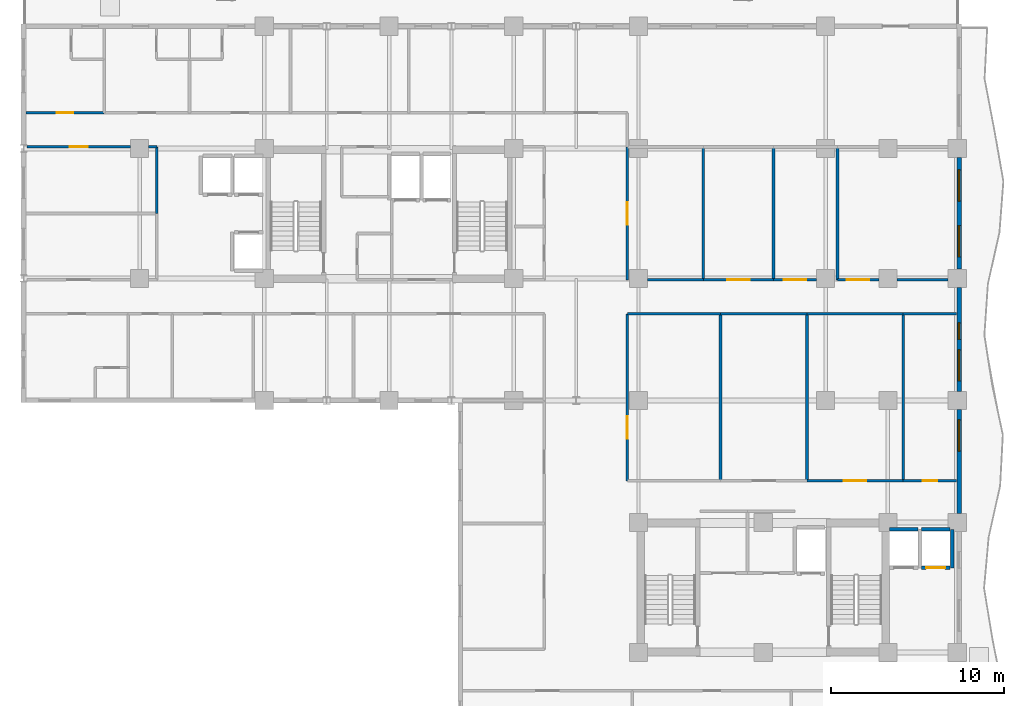
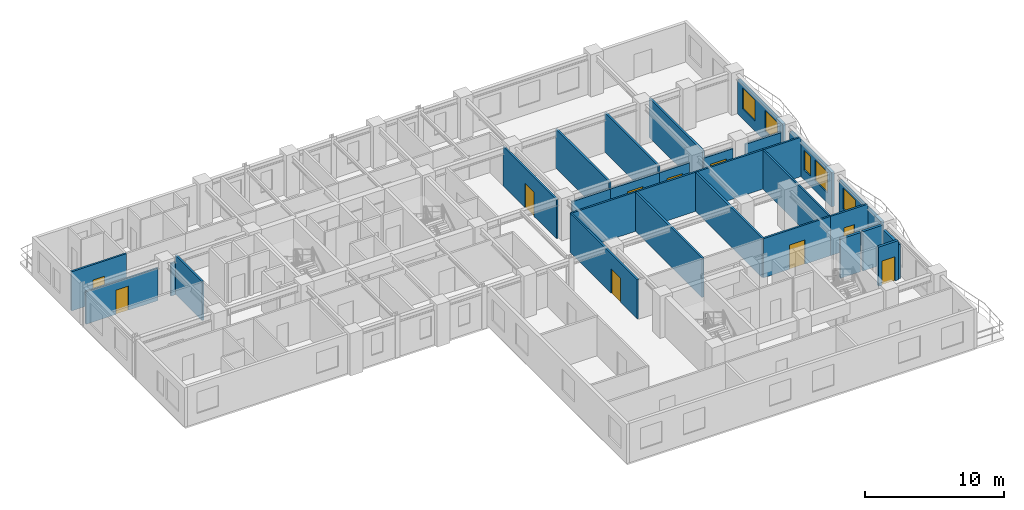
# One storey, part 7 of 13: 30 walls, 10 doors, 5 windows, 15 openings.
"""IFC4 building model written with IfcOpenShell, lengths in metres."""

from ifc_helpers import new_model, si_unit, direction, frame, frame_2d, origin, place, context, subcontext, project, spatial, rectangle, extrude, material, layer, layer_set, type_object, element, fill, save


model = new_model("IFC4")

# Units and contexts
model_context = context("Model", 3, precision=1e-05, world=origin(), true_north=direction((0.0, 1.0)))
body_context = subcontext(model_context, "Body", "Model", "MODEL_VIEW")
ifc_project = project(units=[si_unit("LENGTHUNIT", "METRE"), si_unit("AREAUNIT", "SQUARE_METRE"), si_unit("VOLUMEUNIT", "CUBIC_METRE"), si_unit("PLANEANGLEUNIT", "RADIAN"), si_unit("MASSUNIT", "GRAM", prefix="KILO")], contexts=[model_context])

# Site, building, storey
site_placement = place(None, origin())
site = spatial("IfcSite", under=ifc_project, at=site_placement, CompositionType="ELEMENT")
building_placement = place(site_placement, origin())
building = spatial("IfcBuilding", under=site, at=building_placement, Name="Kaliganga Portal Commons", CompositionType="ELEMENT")
storey_placement = place(building_placement, frame((0.0, 0.0, 162.39990234375)))
storey = spatial("IfcBuildingStorey", under=building, at=storey_placement, Name="L41", CompositionType="ELEMENT", Elevation=162.39990234375)

# Wall, opening, window
ifc_material_1 = material(Name="Insulated Aluminium-Clad Spandrel Assembly", Category="aluminium")
ifc_layer_1 = layer(ifc_material_1, 0.260009765625)
ifc_layer_set_1 = layer_set([ifc_layer_1], Name="Insulated Aluminium-Clad Spandrel Assembly")
wall_type_1 = type_object("IfcWallType", Name="WL-EXT-SPAND-260", PredefinedType="STANDARD", material=ifc_layer_set_1)
wall_1_placement = place(storey_placement, frame((54.5, 21.073974609375, 0.0), z_axis=(0.0, 0.0, 1.0), x_axis=(0.0, -1.0, 0.0)))
wall_1 = element("IfcWall", 1, at=wall_1_placement, inside=storey, type_object=wall_type_1, Name="Exterior Envelope Wall L41 P1-E01-S3", PredefinedType="STANDARD", context=body_context, shape_type="SweptSolid", body=[
    extrude(rectangle(XDim=5.998046875, YDim=0.260009765625, at=frame_2d((2.9990234375, 0.0))), origin(), (0.0, 0.0, 1.0), 2.989990234375),
])
opening_1_placement = place(wall_1_placement, frame((0.599609375, 0.0, 0.85009765625)))
opening_1 = element("IfcOpeningElement", 2, at=opening_1_placement, cuts=wall_1, Name="Opening W-01", PredefinedType="OPENING", context=body_context, shape_type="SweptSolid", body=[
    extrude(rectangle(XDim=1.800048828125, YDim=1.85009765625, at=frame_2d((0.89990234375, 0.925048828125))), frame((0.0, 0.14013671875, 0.0), z_axis=(0.0, -1.0, 0.0), x_axis=(1.0, 0.0, 0.0)), (0.0, 0.0, 1.0), 0.280029296875),
])
ifc_material_2 = material(Name="Thermally Broken Aluminium and Low-E Double Glazing", Category="aluminium")
window_type_1 = type_object("IfcWindowType", Name="WIN-STD-1800", PartitioningType="DOUBLE_PANEL_VERTICAL", PredefinedType="WINDOW", material=ifc_material_2)
window_1_placement = place(opening_1_placement, origin())
window_1 = element("IfcWindow", 3, at=window_1_placement, inside=storey, type_object=window_type_1, Name="Facade Window L41-P1E01S3-00", OverallHeight=1.85009765625, OverallWidth=1.800048828125, PartitioningType="SINGLE_PANEL", PredefinedType="WINDOW", context=body_context, shape_type="SweptSolid", body=[
    extrude(rectangle(XDim=1.800048828125, YDim=1.85009765625, at=frame_2d((0.89990234375, 0.925048828125))), frame((0.0, 0.030029296875, 0.0), z_axis=(0.0, -1.0, 0.0), x_axis=(1.0, 0.0, 0.0)), (0.0, 0.0, 1.0), 0.06005859375),
])
fill(opening_1, window_1)

# Wall, openings, windows
wall_2_placement = place(storey_placement, frame((54.5, 28.1240234375, 0.0), z_axis=(0.0, 0.0, 1.0), x_axis=(0.0, -1.0, 0.0)))
wall_2 = element("IfcWall", 4, at=wall_2_placement, inside=storey, type_object=wall_type_1, Name="Exterior Envelope Wall L41 P1-E01-S4", PredefinedType="STANDARD", context=body_context, shape_type="SweptSolid", body=[
    extrude(rectangle(XDim=5.998046875, YDim=0.260009765625, at=frame_2d((2.9990234375, 0.0))), origin(), (0.0, 0.0, 1.0), 2.989990234375),
])
opening_2_placement = place(wall_2_placement, frame((3.598388671875, 0.0, 0.85009765625)))
opening_2 = element("IfcOpeningElement", 5, at=opening_2_placement, cuts=wall_2, Name="Opening W-01", PredefinedType="OPENING", context=body_context, shape_type="SweptSolid", body=[
    extrude(rectangle(XDim=1.800048828125, YDim=1.85009765625, at=frame_2d((0.89990234375, 0.925048828125))), frame((0.0, 0.14013671875, 0.0), z_axis=(0.0, -1.0, 0.0), x_axis=(1.0, 0.0, 0.0)), (0.0, 0.0, 1.0), 0.280029296875),
])
opening_3_placement = place(wall_2_placement, frame((2.044189453125, 0.0, 0.85009765625)))
opening_3 = element("IfcOpeningElement", 6, at=opening_3_placement, cuts=wall_2, Name="Opening W-04", PredefinedType="OPENING", context=body_context, shape_type="SweptSolid", body=[
    extrude(rectangle(XDim=0.949951171875, YDim=1.75, at=frame_2d((0.47509765625, 0.875))), frame((0.0, 0.14013671875, 0.0), z_axis=(0.0, -1.0, 0.0), x_axis=(1.0, 0.0, 0.0)), (0.0, 0.0, 1.0), 0.280029296875),
])
window_type_2 = type_object("IfcWindowType", Name="WIN-NARROW-950", PartitioningType="SINGLE_PANEL", PredefinedType="WINDOW", material=ifc_material_2)
window_2_placement = place(opening_3_placement, origin())
window_2 = element("IfcWindow", 7, at=window_2_placement, inside=storey, type_object=window_type_2, Name="Facade Window L41-P1E01S4-N5", OverallHeight=1.75, OverallWidth=0.949951171875, PartitioningType="SINGLE_PANEL", PredefinedType="WINDOW", context=body_context, shape_type="SweptSolid", body=[
    extrude(rectangle(XDim=0.949951171875, YDim=1.75, at=frame_2d((0.47509765625, 0.875))), frame((0.0, 0.030029296875, 0.0), z_axis=(0.0, -1.0, 0.0), x_axis=(1.0, 0.0, 0.0)), (0.0, 0.0, 1.0), 0.06005859375),
])
fill(opening_3, window_2)
window_3_placement = place(opening_2_placement, origin())
window_3 = element("IfcWindow", 8, at=window_3_placement, inside=storey, type_object=window_type_1, Name="Facade Window L41-P1E01S4-01", OverallHeight=1.85009765625, OverallWidth=1.800048828125, PartitioningType="SINGLE_PANEL", PredefinedType="WINDOW", context=body_context, shape_type="SweptSolid", body=[
    extrude(rectangle(XDim=1.800048828125, YDim=1.85009765625, at=frame_2d((0.89990234375, 0.925048828125))), frame((0.0, 0.030029296875, 0.0), z_axis=(0.0, -1.0, 0.0), x_axis=(1.0, 0.0, 0.0)), (0.0, 0.0, 1.0), 0.06005859375),
])
fill(opening_2, window_3)

wall_3_placement = place(storey_placement, frame((54.5, 35.6240234375, 0.0), z_axis=(0.0, 0.0, 1.0), x_axis=(0.0, -1.0, 0.0)))
wall_3 = element("IfcWall", 9, at=wall_3_placement, inside=storey, type_object=wall_type_1, Name="Exterior Envelope Wall L41 P1-E01-S5", PredefinedType="STANDARD", context=body_context, shape_type="SweptSolid", body=[
    extrude(rectangle(XDim=6.447998046875, YDim=0.260009765625, at=frame_2d((3.22412109375, 0.0))), origin(), (0.0, 0.0, 1.0), 2.989990234375),
])
opening_4_placement = place(wall_3_placement, frame((0.7119140625, 0.0, 0.85009765625)))
opening_4 = element("IfcOpeningElement", 10, at=opening_4_placement, cuts=wall_3, Name="Opening W-01", PredefinedType="OPENING", context=body_context, shape_type="SweptSolid", body=[
    extrude(rectangle(XDim=1.800048828125, YDim=1.85009765625, at=frame_2d((0.89990234375, 0.925048828125))), frame((0.0, 0.14013671875, 0.0), z_axis=(0.0, -1.0, 0.0), x_axis=(1.0, 0.0, 0.0)), (0.0, 0.0, 1.0), 0.280029296875),
])
opening_5_placement = place(wall_3_placement, frame((3.93603515625, 0.0, 0.85009765625)))
opening_5 = element("IfcOpeningElement", 11, at=opening_5_placement, cuts=wall_3, Name="Opening W-01", PredefinedType="OPENING", context=body_context, shape_type="SweptSolid", body=[
    extrude(rectangle(XDim=1.800048828125, YDim=1.85009765625, at=frame_2d((0.89990234375, 0.925048828125))), frame((0.0, 0.14013671875, 0.0), z_axis=(0.0, -1.0, 0.0), x_axis=(1.0, 0.0, 0.0)), (0.0, 0.0, 1.0), 0.280029296875),
])
window_4_placement = place(opening_4_placement, origin())
window_4 = element("IfcWindow", 12, at=window_4_placement, inside=storey, type_object=window_type_1, Name="Facade Window L41-P1E01S5-00", OverallHeight=1.85009765625, OverallWidth=1.800048828125, PartitioningType="SINGLE_PANEL", PredefinedType="WINDOW", context=body_context, shape_type="SweptSolid", body=[
    extrude(rectangle(XDim=1.800048828125, YDim=1.85009765625, at=frame_2d((0.89990234375, 0.925048828125))), frame((0.0, 0.030029296875, 0.0), z_axis=(0.0, -1.0, 0.0), x_axis=(1.0, 0.0, 0.0)), (0.0, 0.0, 1.0), 0.06005859375),
])
fill(opening_4, window_4)
window_5_placement = place(opening_5_placement, origin())
window_5 = element("IfcWindow", 13, at=window_5_placement, inside=storey, type_object=window_type_1, Name="Facade Window L41-P1E01S5-01", OverallHeight=1.85009765625, OverallWidth=1.800048828125, PartitioningType="SINGLE_PANEL", PredefinedType="WINDOW", context=body_context, shape_type="SweptSolid", body=[
    extrude(rectangle(XDim=1.800048828125, YDim=1.85009765625, at=frame_2d((0.89990234375, 0.925048828125))), frame((0.0, 0.030029296875, 0.0), z_axis=(0.0, -1.0, 0.0), x_axis=(1.0, 0.0, 0.0)), (0.0, 0.0, 1.0), 0.06005859375),
])
fill(opening_5, window_5)

# Wall, opening, door
ifc_material_3 = material(Name="Fire-Rated Gypsum Board on Steel Stud", Category="steel")
ifc_layer_2 = layer(ifc_material_3, 0.14990234375)
ifc_layer_set_2 = layer_set([ifc_layer_2], Name="Fire-Rated Gypsum Board on Steel Stud")
wall_type_2 = type_object("IfcWallType", Name="WL-PART-CORR-150", PredefinedType="PARTITIONING", material=ifc_layer_set_2)
wall_4_placement = place(storey_placement, frame((35.360107421875, 16.9599609375, 0.0), z_axis=(0.0, 0.0, 1.0), x_axis=(0.0, 1.0, 0.0)))
wall_4 = element("IfcWall", 14, at=wall_4_placement, inside=storey, type_object=wall_type_2, Name="Interior Partition L41-015", PredefinedType="PARTITIONING", context=body_context, shape_type="SweptSolid", body=[
    extrude(rectangle(XDim=9.64013671875, YDim=0.14990234375, at=frame_2d((4.820068359375, 0.0))), origin(), (0.0, 0.0, 1.0), 3.440185546875),
])
opening_6_placement = place(wall_4_placement, frame((2.434814453125, 0.0, 0.0)))
opening_6 = element("IfcOpeningElement", 15, at=opening_6_placement, cuts=wall_4, Name="Opening RD-03", PredefinedType="OPENING", context=body_context, shape_type="SweptSolid", body=[
    extrude(rectangle(XDim=1.300048828125, YDim=2.1201171875, at=frame_2d((0.64990234375, 1.06005859375))), frame((0.0, 0.0849609375, 0.0), z_axis=(0.0, -1.0, 0.0), x_axis=(1.0, 0.0, 0.0)), (0.0, 0.0, 1.0), 0.169921875),
])
ifc_material_4 = material(Name="Glazed Timber Seminar Vision Door", Category="wood")
door_type_1 = type_object("IfcDoorType", Name="DR-STUDY-1300", OperationType="DOUBLE_DOOR_SINGLE_SWING", PredefinedType="DOOR", material=ifc_material_4)
door_1_placement = place(opening_6_placement, origin())
door_1 = element("IfcDoor", 16, at=door_1_placement, inside=storey, type_object=door_type_1, Name="Interior Door L41-BM01", OperationType="DOUBLE_DOOR_SINGLE_SWING", OverallHeight=2.1201171875, OverallWidth=1.300048828125, PredefinedType="DOOR", context=body_context, shape_type="SweptSolid", body=[
    extrude(rectangle(XDim=1.300048828125, YDim=2.1201171875, at=frame_2d((0.64990234375, 1.06005859375))), frame((0.0, 0.02490234375, 0.0), z_axis=(0.0, -1.0, 0.0), x_axis=(1.0, 0.0, 0.0)), (0.0, 0.0, 1.0), 0.050048828125),
])
fill(opening_6, door_1)

wall_5_placement = place(storey_placement, frame((0.701904296875, 36.239990234375, 0.0), z_axis=(0.0, 0.0, 1.0), x_axis=(1.0, 0.0, 0.0)))
wall_5 = element("IfcWall", 17, at=wall_5_placement, inside=storey, type_object=wall_type_2, Name="Interior Partition L41-020", PredefinedType="PARTITIONING", context=body_context, shape_type="SweptSolid", body=[
    extrude(rectangle(XDim=5.97314453125, YDim=0.14990234375, at=frame_2d((2.986572265625, 0.0))), origin(), (0.0, 0.0, 1.0), 2.840087890625),
])
opening_7_placement = place(wall_5_placement, frame((2.46142578125, 0.0, 0.0)))
opening_7 = element("IfcOpeningElement", 18, at=opening_7_placement, cuts=wall_5, Name="Opening UD-02", PredefinedType="OPENING", context=body_context, shape_type="SweptSolid", body=[
    extrude(rectangle(XDim=1.050048828125, YDim=2.1201171875, at=frame_2d((0.52490234375, 1.06005859375))), frame((0.0, 0.0849609375, 0.0), z_axis=(0.0, -1.0, 0.0), x_axis=(1.0, 0.0, 0.0)), (0.0, 0.0, 1.0), 0.169921875),
])
ifc_material_5 = material(Name="Accessible Wide-Leaf Acoustic Fire Door", Category="wood")
door_type_2 = type_object("IfcDoorType", Name="DR-ACC-1050", OperationType="NOTDEFINED", PredefinedType="DOOR", material=ifc_material_5)
door_2_placement = place(opening_7_placement, origin())
door_2 = element("IfcDoor", 19, at=door_2_placement, inside=storey, type_object=door_type_2, Name="Interior Door L41-AW02", OperationType="SINGLE_SWING_LEFT", OverallHeight=2.1201171875, OverallWidth=1.050048828125, PredefinedType="DOOR", context=body_context, shape_type="SweptSolid", body=[
    extrude(rectangle(XDim=1.050048828125, YDim=2.1201171875, at=frame_2d((0.52490234375, 1.06005859375))), frame((0.0, 0.02490234375, 0.0), z_axis=(0.0, -1.0, 0.0), x_axis=(1.0, 0.0, 0.0)), (0.0, 0.0, 1.0), 0.050048828125),
])
fill(opening_7, door_2)

# Wall
wall_6_placement = place(storey_placement, frame((7.72509765625, 36.239990234375, 0.0), z_axis=(0.0, 0.0, 1.0), x_axis=(1.0, 0.0, 0.0)))
element("IfcWall", 20, at=wall_6_placement, inside=storey, type_object=wall_type_2, Name="Interior Partition L41-021", PredefinedType="PARTITIONING", context=body_context, shape_type="SweptSolid", body=[
    extrude(rectangle(XDim=0.474853515625, YDim=0.14990234375, at=frame_2d((0.2373046875, 0.0))), origin(), (0.0, 0.0, 1.0), 2.840087890625),
])

# Wall, opening, door
wall_7_placement = place(storey_placement, frame((35.360107421875, 28.56005859375, 0.0), z_axis=(0.0, 0.0, 1.0), x_axis=(0.0, 1.0, 0.0)))
wall_7 = element("IfcWall", 21, at=wall_7_placement, inside=storey, type_object=wall_type_2, Name="Interior Partition L41-022", PredefinedType="PARTITIONING", context=body_context, shape_type="SweptSolid", body=[
    extrude(rectangle(XDim=7.679931640625, YDim=0.14990234375, at=frame_2d((3.83984375, 0.0))), origin(), (0.0, 0.0, 1.0), 3.440185546875),
])
opening_8_placement = place(wall_7_placement, frame((3.18994140625, 0.0, 0.0)))
opening_8 = element("IfcOpeningElement", 22, at=opening_8_placement, cuts=wall_7, Name="Opening RD-03", PredefinedType="OPENING", context=body_context, shape_type="SweptSolid", body=[
    extrude(rectangle(XDim=1.300048828125, YDim=2.1201171875, at=frame_2d((0.64990234375, 1.06005859375))), frame((0.0, 0.0849609375, 0.0), z_axis=(0.0, -1.0, 0.0), x_axis=(1.0, 0.0, 0.0)), (0.0, 0.0, 1.0), 0.169921875),
])
door_3_placement = place(opening_8_placement, origin())
door_3 = element("IfcDoor", 23, at=door_3_placement, inside=storey, type_object=door_type_1, Name="Interior Door L41-BK01", OperationType="DOUBLE_DOOR_SINGLE_SWING", OverallHeight=2.1201171875, OverallWidth=1.300048828125, PredefinedType="DOOR", context=body_context, shape_type="SweptSolid", body=[
    extrude(rectangle(XDim=1.300048828125, YDim=2.1201171875, at=frame_2d((0.64990234375, 1.06005859375))), frame((0.0, 0.02490234375, 0.0), z_axis=(0.0, -1.0, 0.0), x_axis=(1.0, 0.0, 0.0)), (0.0, 0.0, 1.0), 0.050048828125),
])
fill(opening_8, door_3)

wall_8_placement = place(storey_placement, frame((47.47998046875, 28.56005859375, 0.0), z_axis=(0.0, 0.0, 1.0), x_axis=(1.0, 0.0, 0.0)))
wall_8 = element("IfcWall", 24, at=wall_8_placement, inside=storey, type_object=wall_type_2, Name="Interior Partition L41-025", PredefinedType="PARTITIONING", context=body_context, shape_type="SweptSolid", body=[
    extrude(rectangle(XDim=2.39501953125, YDim=0.14990234375, at=frame_2d((1.197509765625, 0.0))), origin(), (0.0, 0.0, 1.0), 2.840087890625),
])
opening_9_placement = place(wall_8_placement, frame((0.547607421875, 0.0, 0.0)))
opening_9 = element("IfcOpeningElement", 25, at=opening_9_placement, cuts=wall_8, Name="Opening RD-03", PredefinedType="OPENING", context=body_context, shape_type="SweptSolid", body=[
    extrude(rectangle(XDim=1.300048828125, YDim=2.1201171875, at=frame_2d((0.64990234375, 1.06005859375))), frame((0.0, 0.0849609375, 0.0), z_axis=(0.0, -1.0, 0.0), x_axis=(1.0, 0.0, 0.0)), (0.0, 0.0, 1.0), 0.169921875),
])
door_4_placement = place(opening_9_placement, origin())
door_4 = element("IfcDoor", 26, at=door_4_placement, inside=storey, type_object=door_type_1, Name="Interior Door L41-BK04", OperationType="DOUBLE_DOOR_SINGLE_SWING", OverallHeight=2.1201171875, OverallWidth=1.300048828125, PredefinedType="DOOR", context=body_context, shape_type="SweptSolid", body=[
    extrude(rectangle(XDim=1.300048828125, YDim=2.1201171875, at=frame_2d((0.64990234375, 1.06005859375))), frame((0.0, 0.02490234375, 0.0), z_axis=(0.0, -1.0, 0.0), x_axis=(1.0, 0.0, 0.0)), (0.0, 0.0, 1.0), 0.050048828125),
])
fill(opening_9, door_4)

# Wall
wall_9_placement = place(storey_placement, frame((50.925048828125, 28.56005859375, 0.0), z_axis=(0.0, 0.0, 1.0), x_axis=(1.0, 0.0, 0.0)))
element("IfcWall", 27, at=wall_9_placement, inside=storey, type_object=wall_type_2, Name="Interior Partition L41-026", PredefinedType="PARTITIONING", context=body_context, shape_type="SweptSolid", body=[
    extrude(rectangle(XDim=2.949951171875, YDim=0.14990234375, at=frame_2d((1.47509765625, 0.0))), origin(), (0.0, 0.0, 1.0), 2.840087890625),
])

# Wall, opening, door
wall_10_placement = place(storey_placement, frame((45.719970703125, 16.9599609375, 0.0), z_axis=(0.0, 0.0, 1.0), x_axis=(1.0, 0.0, 0.0)))
wall_10 = element("IfcWall", 28, at=wall_10_placement, inside=storey, type_object=wall_type_2, Name="Interior Partition L41-031", PredefinedType="PARTITIONING", context=body_context, shape_type="SweptSolid", body=[
    extrude(rectangle(XDim=5.56005859375, YDim=0.14990234375, at=frame_2d((2.780029296875, 0.0))), origin(), (0.0, 0.0, 1.0), 3.440185546875),
])
opening_10_placement = place(wall_10_placement, frame((2.1298828125, 0.0, 0.0)))
opening_10 = element("IfcOpeningElement", 29, at=opening_10_placement, cuts=wall_10, Name="Opening RD-03", PredefinedType="OPENING", context=body_context, shape_type="SweptSolid", body=[
    extrude(rectangle(XDim=1.300048828125, YDim=2.1201171875, at=frame_2d((0.64990234375, 1.06005859375))), frame((0.0, 0.0849609375, 0.0), z_axis=(0.0, -1.0, 0.0), x_axis=(1.0, 0.0, 0.0)), (0.0, 0.0, 1.0), 0.169921875),
])
door_5_placement = place(opening_10_placement, origin())
door_5 = element("IfcDoor", 30, at=door_5_placement, inside=storey, type_object=door_type_1, Name="Interior Door L41-BM03", OperationType="DOUBLE_DOOR_SINGLE_SWING", OverallHeight=2.1201171875, OverallWidth=1.300048828125, PredefinedType="DOOR", context=body_context, shape_type="SweptSolid", body=[
    extrude(rectangle(XDim=1.300048828125, YDim=2.1201171875, at=frame_2d((0.64990234375, 1.06005859375))), frame((0.0, 0.02490234375, 0.0), z_axis=(0.0, -1.0, 0.0), x_axis=(1.0, 0.0, 0.0)), (0.0, 0.0, 1.0), 0.050048828125),
])
fill(opening_10, door_5)

# Walls
wall_11_placement = place(storey_placement, frame((45.719970703125, 26.60009765625, 0.0), z_axis=(0.0, 0.0, 1.0), x_axis=(1.0, 0.0, 0.0)))
element("IfcWall", 31, at=wall_11_placement, inside=storey, type_object=wall_type_2, Name="Interior Partition L41-032", PredefinedType="PARTITIONING", context=body_context, shape_type="SweptSolid", body=[
    extrude(rectangle(XDim=5.56005859375, YDim=0.14990234375, at=frame_2d((2.780029296875, 0.0))), origin(), (0.0, 0.0, 1.0), 3.440185546875),
])
wall_12_placement = place(storey_placement, frame((35.360107421875, 26.60009765625, 0.0), z_axis=(0.0, 0.0, 1.0), x_axis=(1.0, 0.0, 0.0)))
element("IfcWall", 32, at=wall_12_placement, inside=storey, type_object=wall_type_2, Name="Interior Partition L41-034", PredefinedType="PARTITIONING", context=body_context, shape_type="SweptSolid", body=[
    extrude(rectangle(XDim=5.3798828125, YDim=0.14990234375, at=frame_2d((2.68994140625, 0.0))), origin(), (0.0, 0.0, 1.0), 3.440185546875),
])
wall_13_placement = place(storey_placement, frame((40.739990234375, 26.60009765625, 0.0), z_axis=(0.0, 0.0, 1.0), x_axis=(1.0, 0.0, 0.0)))
element("IfcWall", 33, at=wall_13_placement, inside=storey, type_object=wall_type_2, Name="Interior Partition L41-037", PredefinedType="PARTITIONING", context=body_context, shape_type="SweptSolid", body=[
    extrude(rectangle(XDim=4.97998046875, YDim=0.14990234375, at=frame_2d((2.489990234375, 0.0))), origin(), (0.0, 0.0, 1.0), 3.440185546875),
])

# Wall, opening, door
wall_14_placement = place(storey_placement, frame((0.632080078125, 38.199951171875, 0.0), z_axis=(0.0, 0.0, 1.0), x_axis=(1.0, 0.0, 0.0)))
wall_14 = element("IfcWall", 34, at=wall_14_placement, inside=storey, type_object=wall_type_2, Name="Interior Partition L41-042", PredefinedType="PARTITIONING", context=body_context, shape_type="SweptSolid", body=[
    extrude(rectangle(XDim=4.52783203125, YDim=0.14990234375, at=frame_2d((2.263916015625, 0.0))), origin(), (0.0, 0.0, 1.0), 3.440185546875),
])
opening_11_placement = place(wall_14_placement, frame((1.7890625, 0.0, 0.0)))
opening_11 = element("IfcOpeningElement", 35, at=opening_11_placement, cuts=wall_14, Name="Opening UD-01", PredefinedType="OPENING", context=body_context, shape_type="SweptSolid", body=[
    extrude(rectangle(XDim=0.949951171875, YDim=2.10009765625, at=frame_2d((0.47509765625, 1.050048828125))), frame((0.0, 0.0849609375, 0.0), z_axis=(0.0, -1.0, 0.0), x_axis=(1.0, 0.0, 0.0)), (0.0, 0.0, 1.0), 0.169921875),
])
ifc_material_6 = material(Name="Solid-Core Timber Acoustic Fire Door", Category="wood")
door_type_3 = type_object("IfcDoorType", Name="DR-UNIT-950", OperationType="NOTDEFINED", PredefinedType="DOOR", material=ifc_material_6)
door_6_placement = place(opening_11_placement, origin())
door_6 = element("IfcDoor", 36, at=door_6_placement, inside=storey, type_object=door_type_3, Name="Interior Door L41-AN01", OperationType="SINGLE_SWING_LEFT", OverallHeight=2.10009765625, OverallWidth=0.949951171875, PredefinedType="DOOR", context=body_context, shape_type="SweptSolid", body=[
    extrude(rectangle(XDim=0.949951171875, YDim=2.10009765625, at=frame_2d((0.47509765625, 1.050048828125))), frame((0.0, 0.02490234375, 0.0), z_axis=(0.0, -1.0, 0.0), x_axis=(1.0, 0.0, 0.0)), (0.0, 0.0, 1.0), 0.050048828125),
])
fill(opening_11, door_6)

# Wall
wall_15_placement = place(storey_placement, frame((36.52490234375, 28.56005859375, 0.0), z_axis=(0.0, 0.0, 1.0), x_axis=(1.0, 0.0, 0.0)))
element("IfcWall", 37, at=wall_15_placement, inside=storey, type_object=wall_type_2, Name="Interior Partition L41-044", PredefinedType="PARTITIONING", context=body_context, shape_type="SweptSolid", body=[
    extrude(rectangle(XDim=3.215087890625, YDim=0.14990234375, at=frame_2d((1.607421875, 0.0))), origin(), (0.0, 0.0, 1.0), 2.840087890625),
])

# Wall, opening, door
wall_16_placement = place(storey_placement, frame((39.739990234375, 28.56005859375, 0.0), z_axis=(0.0, 0.0, 1.0), x_axis=(1.0, 0.0, 0.0)))
wall_16 = element("IfcWall", 38, at=wall_16_placement, inside=storey, type_object=wall_type_2, Name="Interior Partition L41-045", PredefinedType="PARTITIONING", context=body_context, shape_type="SweptSolid", body=[
    extrude(rectangle(XDim=4.06005859375, YDim=0.14990234375, at=frame_2d((2.030029296875, 0.0))), origin(), (0.0, 0.0, 1.0), 2.840087890625),
])
opening_12_placement = place(wall_16_placement, frame((1.3798828125, 0.0, 0.0)))
opening_12 = element("IfcOpeningElement", 39, at=opening_12_placement, cuts=wall_16, Name="Opening RD-03", PredefinedType="OPENING", context=body_context, shape_type="SweptSolid", body=[
    extrude(rectangle(XDim=1.300048828125, YDim=2.1201171875, at=frame_2d((0.64990234375, 1.06005859375))), frame((0.0, 0.0849609375, 0.0), z_axis=(0.0, -1.0, 0.0), x_axis=(1.0, 0.0, 0.0)), (0.0, 0.0, 1.0), 0.169921875),
])
door_7_placement = place(opening_12_placement, origin())
door_7 = element("IfcDoor", 40, at=door_7_placement, inside=storey, type_object=door_type_1, Name="Interior Door L41-BK02", OperationType="DOUBLE_DOOR_SINGLE_SWING", OverallHeight=2.1201171875, OverallWidth=1.300048828125, PredefinedType="DOOR", context=body_context, shape_type="SweptSolid", body=[
    extrude(rectangle(XDim=1.300048828125, YDim=2.1201171875, at=frame_2d((0.64990234375, 1.06005859375))), frame((0.0, 0.02490234375, 0.0), z_axis=(0.0, -1.0, 0.0), x_axis=(1.0, 0.0, 0.0)), (0.0, 0.0, 1.0), 0.050048828125),
])
fill(opening_12, door_7)

# Wall
wall_17_placement = place(storey_placement, frame((8.199951171875, 32.39990234375, 0.0), z_axis=(0.0, 0.0, 1.0), x_axis=(0.0, 1.0, 0.0)))
element("IfcWall", 41, at=wall_17_placement, inside=storey, type_object=wall_type_2, Name="Interior Partition L41-046", PredefinedType="PARTITIONING", context=body_context, shape_type="SweptSolid", body=[
    extrude(rectangle(XDim=3.840087890625, YDim=0.14990234375, at=frame_2d((1.919921875, 0.0))), origin(), (0.0, 0.0, 1.0), 3.440185546875),
])

# Wall, opening, door
wall_18_placement = place(storey_placement, frame((43.800048828125, 28.56005859375, 0.0), z_axis=(0.0, 0.0, 1.0), x_axis=(1.0, 0.0, 0.0)))
wall_18 = element("IfcWall", 42, at=wall_18_placement, inside=storey, type_object=wall_type_2, Name="Interior Partition L41-048", PredefinedType="PARTITIONING", context=body_context, shape_type="SweptSolid", body=[
    extrude(rectangle(XDim=2.474853515625, YDim=0.14990234375, at=frame_2d((1.2373046875, 0.0))), origin(), (0.0, 0.0, 1.0), 2.840087890625),
])
opening_13_placement = place(wall_18_placement, frame((0.58740234375, 0.0, 0.0)))
opening_13 = element("IfcOpeningElement", 43, at=opening_13_placement, cuts=wall_18, Name="Opening RD-03", PredefinedType="OPENING", context=body_context, shape_type="SweptSolid", body=[
    extrude(rectangle(XDim=1.300048828125, YDim=2.1201171875, at=frame_2d((0.64990234375, 1.06005859375))), frame((0.0, 0.0849609375, 0.0), z_axis=(0.0, -1.0, 0.0), x_axis=(1.0, 0.0, 0.0)), (0.0, 0.0, 1.0), 0.169921875),
])
door_8_placement = place(opening_13_placement, origin())
door_8 = element("IfcDoor", 44, at=door_8_placement, inside=storey, type_object=door_type_1, Name="Interior Door L41-BK03", OperationType="DOUBLE_DOOR_SINGLE_SWING", OverallHeight=2.1201171875, OverallWidth=1.300048828125, PredefinedType="DOOR", context=body_context, shape_type="SweptSolid", body=[
    extrude(rectangle(XDim=1.300048828125, YDim=2.1201171875, at=frame_2d((0.64990234375, 1.06005859375))), frame((0.0, 0.02490234375, 0.0), z_axis=(0.0, -1.0, 0.0), x_axis=(1.0, 0.0, 0.0)), (0.0, 0.0, 1.0), 0.050048828125),
])
fill(opening_13, door_8)

wall_19_placement = place(storey_placement, frame((51.280029296875, 16.9599609375, 0.0), z_axis=(0.0, 0.0, 1.0), x_axis=(1.0, 0.0, 0.0)))
wall_19 = element("IfcWall", 45, at=wall_19_placement, inside=storey, type_object=wall_type_2, Name="Interior Partition L41-049", PredefinedType="PARTITIONING", context=body_context, shape_type="SweptSolid", body=[
    extrude(rectangle(XDim=3.087890625, YDim=0.14990234375, at=frame_2d((1.5439453125, 0.0))), origin(), (0.0, 0.0, 1.0), 3.440185546875),
])
opening_14_placement = place(wall_19_placement, frame((1.118896484375, 0.0, 0.0)))
opening_14 = element("IfcOpeningElement", 46, at=opening_14_placement, cuts=wall_19, Name="Opening WD-01", PredefinedType="OPENING", context=body_context, shape_type="SweptSolid", body=[
    extrude(rectangle(XDim=0.85009765625, YDim=2.0400390625, at=frame_2d((0.425048828125, 1.02001953125))), frame((0.0, 0.0849609375, 0.0), z_axis=(0.0, -1.0, 0.0), x_axis=(1.0, 0.0, 0.0)), (0.0, 0.0, 1.0), 0.169921875),
])
ifc_material_7 = material(Name="Moisture-Resistant Laminate Timber Door", Category="wood")
door_type_4 = type_object("IfcDoorType", Name="DR-WET-850", OperationType="NOTDEFINED", PredefinedType="DOOR", material=ifc_material_7)
door_9_placement = place(opening_14_placement, origin())
door_9 = element("IfcDoor", 47, at=door_9_placement, inside=storey, type_object=door_type_4, Name="Interior Door L41-BM04", OperationType="SINGLE_SWING_LEFT", OverallHeight=2.0400390625, OverallWidth=0.85009765625, PredefinedType="DOOR", context=body_context, shape_type="SweptSolid", body=[
    extrude(rectangle(XDim=0.85009765625, YDim=2.0400390625, at=frame_2d((0.425048828125, 1.02001953125))), frame((0.0, 0.02490234375, 0.0), z_axis=(0.0, -1.0, 0.0), x_axis=(1.0, 0.0, 0.0)), (0.0, 0.0, 1.0), 0.050048828125),
])
fill(opening_14, door_9)

# Walls
wall_20_placement = place(storey_placement, frame((51.280029296875, 26.60009765625, 0.0), z_axis=(0.0, 0.0, 1.0), x_axis=(1.0, 0.0, 0.0)))
element("IfcWall", 48, at=wall_20_placement, inside=storey, type_object=wall_type_2, Name="Interior Partition L41-050", PredefinedType="PARTITIONING", context=body_context, shape_type="SweptSolid", body=[
    extrude(rectangle(XDim=3.087890625, YDim=0.14990234375, at=frame_2d((1.5439453125, 0.0))), origin(), (0.0, 0.0, 1.0), 3.440185546875),
])
ifc_material_8 = material(Name="Twin-Stud Acoustic Gypsum Partition", Category="gypsum")
ifc_layer_3 = layer(ifc_material_8, 0.1650390625)
ifc_layer_set_3 = layer_set([ifc_layer_3], Name="Twin-Stud Acoustic Gypsum Partition")
wall_type_3 = type_object("IfcWallType", Name="WL-PART-UNIT-165", PredefinedType="PARTITIONING", material=ifc_layer_set_3)
for number, where, z_axis, x_axis, name in (
    (49, (40.739990234375, 16.9599609375, 0.0), (0.0, 0.0, 1.0), (0.0, 1.0, 0.0), "Interior Partition L41-068"),
    (50, (45.719970703125, 16.9599609375, 0.0), (0.0, 0.0, 1.0), (0.0, 1.0, 0.0), "Interior Partition L41-069"),
):
    element("IfcWall", number, at=place(storey_placement, frame(where, z_axis=z_axis, x_axis=x_axis)), inside=storey, type_object=wall_type_3, Name=name, PredefinedType="PARTITIONING", context=body_context, shape_type="SweptSolid", body=[
        extrude(rectangle(XDim=9.64013671875, YDim=0.1650390625, at=frame_2d((4.820068359375, 0.0))), origin(), (0.0, 0.0, 1.0), 3.440185546875),
    ])
for number, where, z_axis, x_axis, name in (
    (51, (39.739990234375, 28.56005859375, 0.0), (0.0, 0.0, 1.0), (0.0, 1.0, 0.0), "Interior Partition L41-072"),
    (52, (43.800048828125, 28.56005859375, 0.0), (0.0, 0.0, 1.0), (0.0, 1.0, 0.0), "Interior Partition L41-073"),
    (53, (47.47998046875, 28.56005859375, 0.0), (0.0, 0.0, 1.0), (0.0, 1.0, 0.0), "Interior Partition L41-074"),
):
    element("IfcWall", number, at=place(storey_placement, frame(where, z_axis=z_axis, x_axis=x_axis)), inside=storey, type_object=wall_type_3, Name=name, PredefinedType="PARTITIONING", context=body_context, shape_type="SweptSolid", body=[
        extrude(rectangle(XDim=7.679931640625, YDim=0.1650390625, at=frame_2d((3.83984375, 0.0))), origin(), (0.0, 0.0, 1.0), 3.440185546875),
    ])
ifc_material_9 = material(Name="Cement-Board Wet-Room Partition", Category="gypsum")
ifc_layer_4 = layer(ifc_material_9, 0.135009765625)
ifc_layer_set_4 = layer_set([ifc_layer_4], Name="Cement-Board Wet-Room Partition")
wall_type_4 = type_object("IfcWallType", Name="WL-PART-WET-135", PredefinedType="PARTITIONING", material=ifc_layer_set_4)
wall_21_placement = place(storey_placement, frame((51.280029296875, 16.9599609375, 0.0), z_axis=(0.0, 0.0, 1.0), x_axis=(0.0, 1.0, 0.0)))
element("IfcWall", 54, at=wall_21_placement, inside=storey, type_object=wall_type_4, Name="Interior Partition L41-070", PredefinedType="PARTITIONING", context=body_context, shape_type="SweptSolid", body=[
    extrude(rectangle(XDim=9.64013671875, YDim=0.135009765625, at=frame_2d((4.820068359375, 0.0))), origin(), (0.0, 0.0, 1.0), 3.440185546875),
])
ifc_material_10 = material(Name="Fire-Rated Shaftwall Masonry Assembly", Category="masonry")
ifc_layer_5 = layer(ifc_material_10, 0.199951171875)
ifc_layer_set_5 = layer_set([ifc_layer_5], Name="Fire-Rated Shaftwall Masonry Assembly")
wall_type_5 = type_object("IfcWallType", Name="WL-SHAFT-200", PredefinedType="PARTITIONING", material=ifc_layer_set_5)
wall_22_placement = place(storey_placement, frame((50.47509765625, 14.1650390625, 0.0), z_axis=(0.0, 0.0, 1.0), x_axis=(1.0, 0.0, 0.0)))
element("IfcWall", 55, at=wall_22_placement, inside=storey, type_object=wall_type_5, Name="Lift PL-B3 Hoistway Shaft Wall L41-N", PredefinedType="PARTITIONING", context=body_context, shape_type="SweptSolid", body=[
    extrude(rectangle(XDim=1.64990234375, YDim=0.199951171875, at=frame_2d((0.824951171875, 0.0))), origin(), (0.0, 0.0, 1.0), 3.440185546875),
])

# Wall, opening, door
wall_23_placement = place(storey_placement, frame((52.324951171875, 11.93505859375, 0.0), z_axis=(0.0, 0.0, 1.0), x_axis=(1.0, 0.0, 0.0)))
wall_23 = element("IfcWall", 56, at=wall_23_placement, inside=storey, type_object=wall_type_5, Name="Lift PL-B4 Hoistway Shaft Wall L41-S", PredefinedType="PARTITIONING", context=body_context, shape_type="SweptSolid", body=[
    extrude(rectangle(XDim=1.650146484375, YDim=0.199951171875, at=frame_2d((0.8251953125, 0.0))), origin(), (0.0, 0.0, 1.0), 3.440185546875),
])
opening_15_placement = place(wall_23_placement, frame((0.27490234375, 0.0, 0.0)))
opening_15 = element("IfcOpeningElement", 57, at=opening_15_placement, cuts=wall_23, Name="Opening LD-01", PredefinedType="OPENING", context=body_context, shape_type="SweptSolid", body=[
    extrude(rectangle(XDim=1.10009765625, YDim=2.1201171875, at=frame_2d((0.550048828125, 1.06005859375))), frame((0.0, 0.10986328125, 0.0), z_axis=(0.0, -1.0, 0.0), x_axis=(1.0, 0.0, 0.0)), (0.0, 0.0, 1.0), 0.219970703125),
])
ifc_material_11 = material(Name="Brushed Stainless Steel 316 Lift Landing Door", Category="steel")
door_type_5 = type_object("IfcDoorType", Name="DR-LIFT-1100", OperationType="SLIDING_TO_LEFT", PredefinedType="DOOR", material=ifc_material_11)
door_10_placement = place(opening_15_placement, origin())
door_10 = element("IfcDoor", 58, at=door_10_placement, inside=storey, type_object=door_type_5, Name="Lift PL-B4 Sliding Landing Door L41", OperationType="SLIDING_TO_LEFT", OverallHeight=2.1201171875, OverallWidth=1.10009765625, PredefinedType="DOOR", context=body_context, shape_type="SweptSolid", body=[
    extrude(rectangle(XDim=1.10009765625, YDim=2.1201171875, at=frame_2d((0.550048828125, 1.06005859375))), frame((0.0, 0.02490234375, 0.0), z_axis=(0.0, -1.0, 0.0), x_axis=(1.0, 0.0, 0.0)), (0.0, 0.0, 1.0), 0.050048828125),
])
fill(opening_15, door_10)

# Walls
wall_24_placement = place(storey_placement, frame((52.324951171875, 14.1650390625, 0.0), z_axis=(0.0, 0.0, 1.0), x_axis=(1.0, 0.0, 0.0)))
element("IfcWall", 59, at=wall_24_placement, inside=storey, type_object=wall_type_5, Name="Lift PL-B4 Hoistway Shaft Wall L41-N", PredefinedType="PARTITIONING", context=body_context, shape_type="SweptSolid", body=[
    extrude(rectangle(XDim=1.650146484375, YDim=0.199951171875, at=frame_2d((0.8251953125, 0.0))), origin(), (0.0, 0.0, 1.0), 3.440185546875),
])
wall_25_placement = place(storey_placement, frame((54.114990234375, 11.93505859375, 0.0), z_axis=(0.0, 0.0, 1.0), x_axis=(0.0, 1.0, 0.0)))
element("IfcWall", 60, at=wall_25_placement, inside=storey, type_object=wall_type_5, Name="Lift PL-B4 Hoistway Shaft Wall L41-E", PredefinedType="PARTITIONING", context=body_context, shape_type="SweptSolid", body=[
    extrude(rectangle(XDim=2.22998046875, YDim=0.199951171875, at=frame_2d((1.114990234375, 0.0))), origin(), (0.0, 0.0, 1.0), 2.989990234375),
])

save(model, "model.ifc")
